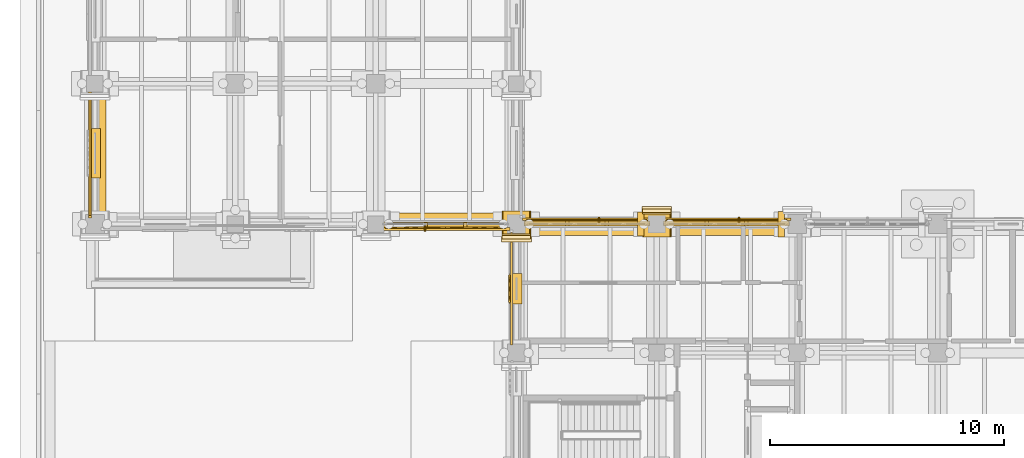
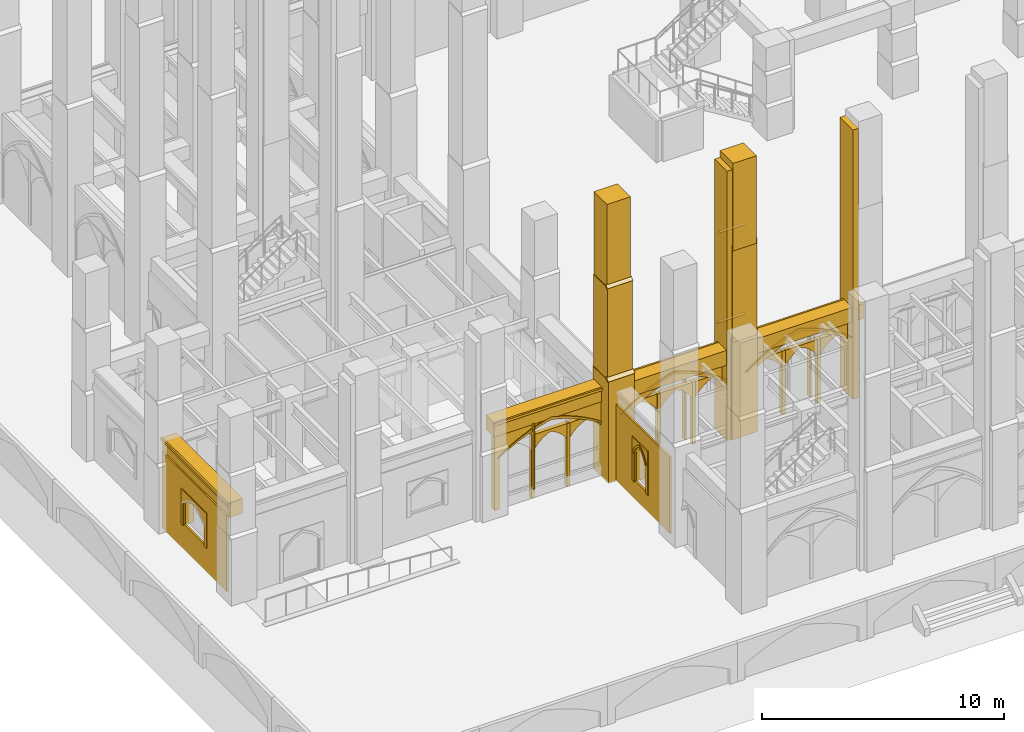
# One storey, part 76 of 135: 45 coverings, 3 shading devices.
"""IFC4 building model written with IfcOpenShell, lengths in metres."""

from ifc_helpers import new_model, si_unit, direction, frame, origin, origin_2d, place, context, subcontext, project, spatial, polyline, rectangle, outline, extrude, material, type_object, element, save


model = new_model("IFC4")

# Units and contexts
model_context = context("Model", 3, precision=1e-05, world=origin(), true_north=direction((0.0, 1.0)))
body_context = subcontext(model_context, "Body", "Model", "MODEL_VIEW")
ifc_project = project(units=[si_unit("LENGTHUNIT", "METRE"), si_unit("AREAUNIT", "SQUARE_METRE"), si_unit("VOLUMEUNIT", "CUBIC_METRE"), si_unit("PLANEANGLEUNIT", "RADIAN"), si_unit("MASSUNIT", "GRAM", prefix="KILO")], contexts=[model_context])

# Site, building, storey
site_placement = place(None, origin())
site = spatial("IfcSite", under=ifc_project, at=site_placement, CompositionType="ELEMENT")
building_placement = place(site_placement, origin())
building = spatial("IfcBuilding", under=site, at=building_placement, Name="Cumevento Cable Car Station", CompositionType="ELEMENT")
storey_placement = place(building_placement, origin())
storey = spatial("IfcBuildingStorey", under=building, at=storey_placement, Name="L01", CompositionType="ELEMENT", Elevation=0.0)

# Shading devices
ifc_material_1 = material(Name="Anodised Bronze Aluminium AW-6063-T6", Category="aluminium")
shading_device_type = type_object("IfcShadingDeviceType", Name="Bronze Lancet Brise-Soleil BS-01", PredefinedType="JALOUSIE", material=ifc_material_1)
shading_device_1_placement = place(storey_placement, frame((25.534912109375, 15.179931640625, 0.2099609375), z_axis=(0.0, 0.0, 1.0), x_axis=(1.0, 0.0, 0.0)))
element("IfcShadingDevice", 1, at=shading_device_1_placement, inside=storey, type_object=shading_device_type, Name="Bronze Lancet Solar Fin #1", PredefinedType="JALOUSIE", context=body_context, shape_type="SweptSolid", body=[
    extrude(rectangle(XDim=0.054931640625, YDim=0.239990234375, at=origin_2d()), origin(), (0.0, 0.0, 1.0), 3.59912109375),
])
shading_device_2_placement = place(storey_placement, frame((31.510009765625, 15.179931640625, 0.260009765625), z_axis=(0.0, 0.0, 1.0), x_axis=(1.0, 0.0, 0.0)))
element("IfcShadingDevice", 2, at=shading_device_2_placement, inside=storey, type_object=shading_device_type, Name="Bronze Lancet Solar Fin #2", PredefinedType="JALOUSIE", context=body_context, shape_type="SweptSolid", body=[
    extrude(rectangle(XDim=0.054931640625, YDim=0.239990234375, at=origin_2d()), origin(), (0.0, 0.0, 1.0), 3.62109375),
])
shading_device_3_placement = place(storey_placement, frame((18.10009765625, 14.820068359375, 0.52001953125), z_axis=(0.0, 0.0, 1.0), x_axis=(-1.0, 0.0, 0.0)))
element("IfcShadingDevice", 3, at=shading_device_3_placement, inside=storey, type_object=shading_device_type, Name="Bronze Lancet Solar Fin #10", PredefinedType="JALOUSIE", context=body_context, shape_type="SweptSolid", body=[
    extrude(rectangle(XDim=0.054931640625, YDim=0.239990234375, at=origin_2d()), origin(), (0.0, 0.0, 1.0), 3.2890625),
])

# Coverings
ifc_material_2 = material(Name="Gnaisse Facoidal Stone Ashlar 85 MPa", Category="masonry")
covering_type = type_object("IfcCoveringType", Name="Gnaisse Ashlar Cladding CV-CL01", PredefinedType="CLADDING", material=ifc_material_2)
covering_1_placement = place(storey_placement, frame((22.0, 14.909912109375, -0.06005859375), z_axis=(0.0, 0.0, 1.0), x_axis=(1.0, 0.0, 0.0)))
element("IfcCovering", 4, at=covering_1_placement, inside=storey, type_object=covering_type, Name="Stepped Gothic Stone Buttress Tier 1 bt:22.0:15.0", PredefinedType="CLADDING", context=body_context, shape_type="SweptSolid", body=[
    extrude(rectangle(XDim=1.239990234375, YDim=1.300048828125, at=origin_2d()), origin(), (0.0, 0.0, 1.0), 5.175537109375),
])
covering_2_placement = place(storey_placement, frame((21.360107421875, 14.239990234375, 5.095703125), z_axis=(0.0, -0.711135781079, 0.703054692658), x_axis=(1.0, 0.0, 0.0)))
element("IfcCovering", 5, at=covering_2_placement, inside=storey, type_object=covering_type, Name="Gothic Buttress Sloped Stone Weathering 1 bt:22.0:15.0", PredefinedType="CLADDING", context=body_context, shape_type="SweptSolid", body=[
    extrude(outline(polyline([(0.0, 0.0), (1.27978515625, 0.0), (1.27978515625, 0.24169083397703695), (0.0, 0.24169083397703695), (0.0, 0.0)])), origin(), (0.0, 0.0, -1.0), 0.090087890625),
])
covering_3_placement = place(storey_placement, frame((22.0, 14.969970703125, 4.84326171875), z_axis=(0.0, 0.0, 1.0), x_axis=(1.0, 0.0, 0.0)))
element("IfcCovering", 6, at=covering_3_placement, inside=storey, type_object=covering_type, Name="Stepped Gothic Stone Buttress Tier 2 bt:22.0:15.0", PredefinedType="CLADDING", context=body_context, shape_type="SweptSolid", body=[
    extrude(rectangle(XDim=1.179931640625, YDim=1.179931640625, at=origin_2d()), origin(), (0.0, 0.0, 1.0), 4.9033203125),
])
covering_4_placement = place(storey_placement, frame((21.389892578125, 14.360107421875, 9.726318359375), z_axis=(0.0, -0.714474823669, 0.699661151089), x_axis=(1.0, 0.0, 0.0)))
element("IfcCovering", 7, at=covering_4_placement, inside=storey, type_object=covering_type, Name="Gothic Buttress Sloped Stone Weathering 2 bt:22.0:15.0", PredefinedType="CLADDING", context=body_context, shape_type="SweptSolid", body=[
    extrude(outline(polyline([(0.0, 0.0), (1.22021484375, 0.0), (1.22021484375, 0.21424991728737655), (0.0, 0.21424991728737655), (0.0, 0.0)])), origin(), (0.0, 0.0, -1.0), 0.090087890625),
])
covering_5_placement = place(storey_placement, frame((22.0, 15.02001953125, 9.47412109375), z_axis=(0.0, 0.0, 1.0), x_axis=(1.0, 0.0, 0.0)))
element("IfcCovering", 8, at=covering_5_placement, inside=storey, type_object=covering_type, Name="Stepped Gothic Stone Buttress Tier 3 bt:22.0:15.0", PredefinedType="CLADDING", context=body_context, shape_type="SweptSolid", body=[
    extrude(rectangle(XDim=1.1201171875, YDim=1.080078125, at=origin_2d()), origin(), (0.0, 0.0, 1.0), 4.426025390625),
])
covering_6_placement = place(storey_placement, frame((28.0, 15.090087890625, -0.06005859375), z_axis=(0.0, 0.0, 1.0), x_axis=(-1.0, 0.0, 0.0)))
element("IfcCovering", 9, at=covering_6_placement, inside=storey, type_object=covering_type, Name="Stepped Gothic Stone Buttress Tier 1 bt:28.0:15.0", PredefinedType="CLADDING", context=body_context, shape_type="SweptSolid", body=[
    extrude(rectangle(XDim=1.239990234375, YDim=1.300048828125, at=origin_2d()), origin(), (0.0, 0.0, 1.0), 5.175537109375),
])
covering_7_placement = place(storey_placement, frame((28.639892578125, 15.760009765625, 5.095703125), z_axis=(0.0, 0.711135781079, 0.703054692658), x_axis=(-1.0, 0.0, 0.0)))
element("IfcCovering", 10, at=covering_7_placement, inside=storey, type_object=covering_type, Name="Gothic Buttress Sloped Stone Weathering 1 bt:28.0:15.0", PredefinedType="CLADDING", context=body_context, shape_type="SweptSolid", body=[
    extrude(outline(polyline([(0.0, 0.0), (1.27978515625, 0.0), (1.27978515625, 0.24169083397703695), (0.0, 0.24169083397703695), (0.0, 0.0)])), origin(), (0.0, 0.0, -1.0), 0.090087890625),
])
covering_8_placement = place(storey_placement, frame((28.0, 15.030029296875, 4.84326171875), z_axis=(0.0, 0.0, 1.0), x_axis=(-1.0, 0.0, 0.0)))
element("IfcCovering", 11, at=covering_8_placement, inside=storey, type_object=covering_type, Name="Stepped Gothic Stone Buttress Tier 2 bt:28.0:15.0", PredefinedType="CLADDING", context=body_context, shape_type="SweptSolid", body=[
    extrude(rectangle(XDim=1.179931640625, YDim=1.179931640625, at=origin_2d()), origin(), (0.0, 0.0, 1.0), 4.9033203125),
])
covering_9_placement = place(storey_placement, frame((28.610107421875, 15.639892578125, 9.726318359375), z_axis=(0.0, 0.714474823669, 0.699661151089), x_axis=(-1.0, 0.0, 0.0)))
element("IfcCovering", 12, at=covering_9_placement, inside=storey, type_object=covering_type, Name="Gothic Buttress Sloped Stone Weathering 2 bt:28.0:15.0", PredefinedType="CLADDING", context=body_context, shape_type="SweptSolid", body=[
    extrude(outline(polyline([(0.0, 0.0), (1.22021484375, 0.0), (1.22021484375, 0.21424991728737655), (0.0, 0.21424991728737655), (0.0, 0.0)])), origin(), (0.0, 0.0, -1.0), 0.090087890625),
])
covering_10_placement = place(storey_placement, frame((28.0, 14.97998046875, 9.47412109375), z_axis=(0.0, 0.0, 1.0), x_axis=(-1.0, 0.0, 0.0)))
element("IfcCovering", 13, at=covering_10_placement, inside=storey, type_object=covering_type, Name="Stepped Gothic Stone Buttress Tier 3 bt:28.0:15.0", PredefinedType="CLADDING", context=body_context, shape_type="SweptSolid", body=[
    extrude(rectangle(XDim=1.1201171875, YDim=1.080078125, at=origin_2d()), origin(), (0.0, 0.0, 1.0), 4.426025390625),
])
covering_11_placement = place(storey_placement, frame((27.320068359375, 15.0, -0.06005859375), z_axis=(0.0, 0.0, 1.0), x_axis=(1.0, 0.0, 0.0)))
element("IfcCovering", 14, at=covering_11_placement, inside=storey, type_object=covering_type, Name="Corner Buttress Stone Return (28.0,15.0)", PredefinedType="CLADDING", context=body_context, shape_type="SweptSolid", body=[
    extrude(rectangle(XDim=0.280029296875, YDim=1.030029296875, at=origin_2d()), origin(), (0.0, 0.0, 1.0), 13.6201171875),
])
covering_12_placement = place(storey_placement, frame((33.320068359375, 15.0, -0.06005859375), z_axis=(0.0, 0.0, 1.0), x_axis=(1.0, 0.0, 0.0)))
element("IfcCovering", 15, at=covering_12_placement, inside=storey, type_object=covering_type, Name="Corner Buttress Stone Return (34.0,15.0)", PredefinedType="CLADDING", context=body_context, shape_type="SweptSolid", body=[
    extrude(rectangle(XDim=0.280029296875, YDim=1.080078125, at=origin_2d()), origin(), (0.0, 0.0, 1.0), 13.6201171875),
])
covering_13_placement = place(storey_placement, frame((25.012451171875, 14.85009765625, 3.7490234375), z_axis=(0.0, 0.0, 1.0), x_axis=(1.0, 0.0, 0.0)))
element("IfcCovering", 16, at=covering_13_placement, inside=storey, type_object=covering_type, Name="Gothic Stone Spandrel Stringcourse sc:0005", PredefinedType="CLADDING", context=body_context, shape_type="SweptSolid", body=[
    extrude(rectangle(XDim=5.465087890625, YDim=0.659912109375, at=origin_2d()), origin(), (0.0, 0.0, 1.0), 0.7470703125),
])
covering_14_placement = place(storey_placement, frame((25.012451171875, 15.20751953125, 4.365966796875), z_axis=(0.0, 0.0, 1.0), x_axis=(1.0, 0.0, 0.0)))
element("IfcCovering", 17, at=covering_14_placement, inside=storey, type_object=covering_type, Name="Gothic Cornice Dripstone Lip sc:0005", PredefinedType="CLADDING", context=body_context, shape_type="SweptSolid", body=[
    extrude(rectangle(XDim=5.5048828125, YDim=0.114990234375, at=origin_2d()), origin(), (0.0, 0.0, 1.0), 0.1298828125),
])
covering_15_placement = place(storey_placement, frame((30.987548828125, 14.85009765625, 3.821044921875), z_axis=(0.0, 0.0, 1.0), x_axis=(1.0, 0.0, 0.0)))
element("IfcCovering", 18, at=covering_15_placement, inside=storey, type_object=covering_type, Name="Gothic Stone Spandrel Stringcourse sc:0006", PredefinedType="CLADDING", context=body_context, shape_type="SweptSolid", body=[
    extrude(rectangle(XDim=5.465087890625, YDim=0.659912109375, at=origin_2d()), origin(), (0.0, 0.0, 1.0), 0.7470703125),
])
covering_16_placement = place(storey_placement, frame((30.987548828125, 15.20751953125, 4.43798828125), z_axis=(0.0, 0.0, 1.0), x_axis=(1.0, 0.0, 0.0)))
element("IfcCovering", 19, at=covering_16_placement, inside=storey, type_object=covering_type, Name="Gothic Cornice Dripstone Lip sc:0006", PredefinedType="CLADDING", context=body_context, shape_type="SweptSolid", body=[
    extrude(rectangle(XDim=5.5048828125, YDim=0.114990234375, at=origin_2d()), origin(), (0.0, 0.0, 1.0), 0.1298828125),
])
covering_17_placement = place(storey_placement, frame((18.97509765625, 15.14990234375, 3.7490234375), z_axis=(0.0, 0.0, 1.0), x_axis=(-1.0, 0.0, 0.0)))
element("IfcCovering", 20, at=covering_17_placement, inside=storey, type_object=covering_type, Name="Gothic Stone Spandrel Stringcourse sc:0056", PredefinedType="CLADDING", context=body_context, shape_type="SweptSolid", body=[
    extrude(rectangle(XDim=5.489990234375, YDim=0.659912109375, at=origin_2d()), origin(), (0.0, 0.0, 1.0), 0.7470703125),
])
covering_18_placement = place(storey_placement, frame((18.97509765625, 14.79248046875, 4.365966796875), z_axis=(0.0, 0.0, 1.0), x_axis=(-1.0, 0.0, 0.0)))
element("IfcCovering", 21, at=covering_18_placement, inside=storey, type_object=covering_type, Name="Gothic Cornice Dripstone Lip sc:0056", PredefinedType="CLADDING", context=body_context, shape_type="SweptSolid", body=[
    extrude(rectangle(XDim=5.530029296875, YDim=0.114990234375, at=origin_2d()), origin(), (0.0, 0.0, 1.0), 0.1298828125),
])
covering_19_placement = place(storey_placement, frame((4.14990234375, 18.02490234375, 3.7490234375), z_axis=(0.0, 0.0, 1.0), x_axis=(0.0, 1.0, 0.0)))
element("IfcCovering", 22, at=covering_19_placement, inside=storey, type_object=covering_type, Name="Gothic Stone Spandrel Stringcourse sc:0058", PredefinedType="CLADDING", context=body_context, shape_type="SweptSolid", body=[
    extrude(rectangle(XDim=5.489990234375, YDim=0.659912109375, at=origin_2d()), origin(), (0.0, 0.0, 1.0), 0.7470703125),
])
covering_20_placement = place(storey_placement, frame((3.79248046875, 18.02490234375, 4.365966796875), z_axis=(0.0, 0.0, 1.0), x_axis=(0.0, 1.0, 0.0)))
element("IfcCovering", 23, at=covering_20_placement, inside=storey, type_object=covering_type, Name="Gothic Cornice Dripstone Lip sc:0058", PredefinedType="CLADDING", context=body_context, shape_type="SweptSolid", body=[
    extrude(rectangle(XDim=5.530029296875, YDim=0.114990234375, at=origin_2d()), origin(), (0.0, 0.0, 1.0), 0.1298828125),
])
placement_1 = place(storey_placement, frame((22.39990234375, 15.0, 0.0), z_axis=(0.0, 0.0, 1.0), x_axis=(1.0, 0.0, 0.0)))
element("IfcCovering", 24, at=placement_1, inside=storey, type_object=covering_type, Name="Gothic Ogival Pointed-Arch Stone Spandrel cw_ogival:0001", PredefinedType="CLADDING", context=body_context, shape_type="SweptSolid", body=[
    extrude(outline(polyline([(-0.080078125, 0.0), (-0.080078125, 3.888916015625), (5.304931640625, 3.888916015625), (5.304931640625, 0.0), (5.06494140625, 0.0), (5.06494140625, 2.513427734375), (4.787841796875, 2.71435546875), (4.500732421875, 2.900634765625), (4.204345703125, 3.07177734375), (3.8994140625, 3.227783203125), (3.587158203125, 3.36767578125), (3.267822265625, 3.491455078125), (2.94287109375, 3.5986328125), (2.612548828125, 3.68896484375), (2.2822265625, 3.5986328125), (1.957275390625, 3.491455078125), (1.637939453125, 3.36767578125), (1.32568359375, 3.227783203125), (1.020751953125, 3.07177734375), (0.724365234375, 2.900634765625), (0.437255859375, 2.71435546875), (0.159912109375, 2.513427734375), (0.159912109375, 0.0), (-0.080078125, 0.0)])), frame((0.0, 0.139892578125, 0.0), z_axis=(0.0, -1.0, 0.0), x_axis=(1.0, 0.0, 0.0)), (0.0, 0.0, 1.0), 0.219970703125),
])
covering_22_placement = place(storey_placement, frame((22.39990234375, 15.0, 2.513427734375), z_axis=(0.0, 0.0, 1.0), x_axis=(1.0, 0.0, 0.0)))
element("IfcCovering", 25, at=covering_22_placement, inside=storey, type_object=covering_type, Name="Gothic Pointed Archivolt Hood Moulding cw_ogival:0001", PredefinedType="CLADDING", context=body_context, shape_type="SweptSolid", body=[
    extrude(outline(polyline([(0.159912109375, 0.0), (0.437255859375, 0.200927734375), (0.724365234375, 0.38720703125), (1.020751953125, 0.558349609375), (1.32568359375, 0.71435546875), (1.637939453125, 0.854248046875), (1.957275390625, 0.97802734375), (2.2822265625, 1.085205078125), (2.612548828125, 1.175537109375), (2.94287109375, 1.085205078125), (3.267822265625, 0.97802734375), (3.587158203125, 0.854248046875), (3.8994140625, 0.71435546875), (4.204345703125, 0.558349609375), (4.500732421875, 0.38720703125), (4.787841796875, 0.200927734375), (5.06494140625, 0.0), (5.175048828125, 0.0), (4.889404296875, 0.2236328125), (4.592041015625, 0.431396484375), (4.283935546875, 0.62255859375), (3.965576171875, 0.796630859375), (3.638427734375, 0.953125), (3.30322265625, 1.091796875), (2.9609375, 1.2119140625), (2.612548828125, 1.31298828125), (2.26416015625, 1.2119140625), (1.921875, 1.091796875), (1.586669921875, 0.953125), (1.259521484375, 0.796630859375), (0.941162109375, 0.62255859375), (0.633056640625, 0.431396484375), (0.335693359375, 0.2236328125), (0.050048828125, 0.0), (0.159912109375, 0.0)])), frame((0.0, 0.181884765625, 0.0), z_axis=(0.0, -1.0, 0.0), x_axis=(1.0, 0.0, 0.0)), (0.0, 0.0, 1.0), 0.06689453125),
])
element("IfcCovering", 26, at=placement_1, inside=storey, type_object=covering_type, Name="Gothic Bifora Stone Colonnette cw_ogival:0001 #1", PredefinedType="CLADDING", context=body_context, shape_type="SweptSolid", body=[
    extrude(outline(polyline([(1.695068359375, -0.02001953125), (1.844970703125, -0.02001953125), (1.844970703125, 3.124755859375), (1.695068359375, 3.124755859375), (1.695068359375, -0.02001953125)])), frame((0.0, 0.1279296875, 0.0), z_axis=(0.0, -1.0, 0.0), x_axis=(1.0, 0.0, 0.0)), (0.0, 0.0, 1.0), 0.205078125),
])
element("IfcCovering", 27, at=placement_1, inside=storey, type_object=covering_type, Name="Gothic Bifora Stone Colonnette cw_ogival:0001 #2", PredefinedType="CLADDING", context=body_context, shape_type="SweptSolid", body=[
    extrude(outline(polyline([(3.3798828125, -0.02001953125), (3.530029296875, -0.02001953125), (3.530029296875, 3.124755859375), (3.3798828125, 3.124755859375), (3.3798828125, -0.02001953125)])), frame((0.0, 0.1279296875, 0.0), z_axis=(0.0, -1.0, 0.0), x_axis=(1.0, 0.0, 0.0)), (0.0, 0.0, 1.0), 0.205078125),
])
for number, where, z_axis, x_axis, name in (
    (28, (22.530029296875, 15.0, 2.33349609375), (0.0, 0.0, 1.0), (1.0, 0.0, 0.0), "Gothic Ogival Pointed-Arch Stone Spandrel cw_ogival:0001:sub:0"),
    (29, (24.215087890625, 15.0, 2.33349609375), (0.0, 0.0, 1.0), (1.0, 0.0, 0.0), "Gothic Ogival Pointed-Arch Stone Spandrel cw_ogival:0001:sub:1"),
    (30, (25.89990234375, 15.0, 2.33349609375), (0.0, 0.0, 1.0), (1.0, 0.0, 0.0), "Gothic Ogival Pointed-Arch Stone Spandrel cw_ogival:0001:sub:2"),
):
    element("IfcCovering", number, at=place(storey_placement, frame(where, z_axis=z_axis, x_axis=x_axis)), inside=storey, type_object=covering_type, Name=name, PredefinedType="CLADDING", context=body_context, shape_type="SweptSolid", body=[
        extrude(outline(polyline([(-0.02001953125, 0.0), (-0.02001953125, 0.791259765625), (1.614990234375, 0.791259765625), (1.614990234375, 0.0), (1.554931640625, 0.0), (1.462646484375, 0.144775390625), (1.354736328125, 0.278564453125), (1.232666015625, 0.3994140625), (1.09814453125, 0.506103515625), (0.952392578125, 0.596923828125), (0.797607421875, 0.67138671875), (0.642578125, 0.596923828125), (0.496826171875, 0.506103515625), (0.3623046875, 0.3994140625), (0.240234375, 0.278564453125), (0.13232421875, 0.144775390625), (0.0400390625, 0.0), (-0.02001953125, 0.0)])), frame((0.0, 0.1240234375, 0.0), z_axis=(0.0, -1.0, 0.0), x_axis=(1.0, 0.0, 0.0)), (0.0, 0.0, 1.0), 0.199951171875),
    ])
placement_2 = place(storey_placement, frame((28.375, 15.0, 0.0), z_axis=(0.0, 0.0, 1.0), x_axis=(1.0, 0.0, 0.0)))
element("IfcCovering", 31, at=placement_2, inside=storey, type_object=covering_type, Name="Gothic Ogival Pointed-Arch Stone Spandrel cw_ogival:0002", PredefinedType="CLADDING", context=body_context, shape_type="SweptSolid", body=[
    extrude(outline(polyline([(-0.080078125, 0.0), (-0.080078125, 3.9609375), (5.304931640625, 3.9609375), (5.304931640625, 0.0), (5.06494140625, 0.0), (5.06494140625, 2.577392578125), (4.788330078125, 2.779541015625), (4.501220703125, 2.967041015625), (4.205078125, 3.1396484375), (3.900390625, 3.29638671875), (3.587890625, 3.4375), (3.2685546875, 3.56201171875), (2.943115234375, 3.669921875), (2.612548828125, 3.760986328125), (2.281982421875, 3.669921875), (1.95654296875, 3.56201171875), (1.63720703125, 3.4375), (1.32470703125, 3.29638671875), (1.02001953125, 3.1396484375), (0.723876953125, 2.967041015625), (0.436767578125, 2.779541015625), (0.159912109375, 2.577392578125), (0.159912109375, 0.0), (-0.080078125, 0.0)])), frame((0.0, 0.139892578125, 0.0), z_axis=(0.0, -1.0, 0.0), x_axis=(1.0, 0.0, 0.0)), (0.0, 0.0, 1.0), 0.219970703125),
])
covering_26_placement = place(storey_placement, frame((28.375, 15.0, 2.577392578125), z_axis=(0.0, 0.0, 1.0), x_axis=(1.0, 0.0, 0.0)))
element("IfcCovering", 32, at=covering_26_placement, inside=storey, type_object=covering_type, Name="Gothic Pointed Archivolt Hood Moulding cw_ogival:0002", PredefinedType="CLADDING", context=body_context, shape_type="SweptSolid", body=[
    extrude(outline(polyline([(0.159912109375, 0.0), (0.436767578125, 0.2021484375), (0.723876953125, 0.3896484375), (1.02001953125, 0.562255859375), (1.32470703125, 0.718994140625), (1.63720703125, 0.860107421875), (1.95654296875, 0.984619140625), (2.281982421875, 1.092529296875), (2.612548828125, 1.18359375), (2.943115234375, 1.092529296875), (3.2685546875, 0.984619140625), (3.587890625, 0.860107421875), (3.900390625, 0.718994140625), (4.205078125, 0.562255859375), (4.501220703125, 0.3896484375), (4.788330078125, 0.2021484375), (5.06494140625, 0.0), (5.175048828125, 0.0), (4.889892578125, 0.224853515625), (4.5927734375, 0.433837890625), (4.28466796875, 0.626220703125), (3.966552734375, 0.80126953125), (3.63916015625, 0.958984375), (3.3037109375, 1.098388671875), (2.961181640625, 1.21923828125), (2.612548828125, 1.321044921875), (2.263916015625, 1.21923828125), (1.92138671875, 1.098388671875), (1.5859375, 0.958984375), (1.258544921875, 0.80126953125), (0.9404296875, 0.626220703125), (0.63232421875, 0.433837890625), (0.335205078125, 0.224853515625), (0.050048828125, 0.0), (0.159912109375, 0.0)])), frame((0.0, 0.181884765625, 0.0), z_axis=(0.0, -1.0, 0.0), x_axis=(1.0, 0.0, 0.0)), (0.0, 0.0, 1.0), 0.06689453125),
])
element("IfcCovering", 33, at=placement_2, inside=storey, type_object=covering_type, Name="Gothic Bifora Stone Colonnette cw_ogival:0002 #1", PredefinedType="CLADDING", context=body_context, shape_type="SweptSolid", body=[
    extrude(outline(polyline([(1.695068359375, -0.02001953125), (1.844970703125, -0.02001953125), (1.844970703125, 3.19287109375), (1.695068359375, 3.19287109375), (1.695068359375, -0.02001953125)])), frame((0.0, 0.1279296875, 0.0), z_axis=(0.0, -1.0, 0.0), x_axis=(1.0, 0.0, 0.0)), (0.0, 0.0, 1.0), 0.205078125),
])
element("IfcCovering", 34, at=placement_2, inside=storey, type_object=covering_type, Name="Gothic Bifora Stone Colonnette cw_ogival:0002 #2", PredefinedType="CLADDING", context=body_context, shape_type="SweptSolid", body=[
    extrude(outline(polyline([(3.3798828125, -0.02001953125), (3.530029296875, -0.02001953125), (3.530029296875, 3.19287109375), (3.3798828125, 3.19287109375), (3.3798828125, -0.02001953125)])), frame((0.0, 0.1279296875, 0.0), z_axis=(0.0, -1.0, 0.0), x_axis=(1.0, 0.0, 0.0)), (0.0, 0.0, 1.0), 0.205078125),
])
for number, where, z_axis, x_axis, name in (
    (35, (28.5048828125, 15.0, 2.3974609375), (0.0, 0.0, 1.0), (1.0, 0.0, 0.0), "Gothic Ogival Pointed-Arch Stone Spandrel cw_ogival:0002:sub:0"),
    (36, (30.18994140625, 15.0, 2.3974609375), (0.0, 0.0, 1.0), (1.0, 0.0, 0.0), "Gothic Ogival Pointed-Arch Stone Spandrel cw_ogival:0002:sub:1"),
    (37, (31.875, 15.0, 2.3974609375), (0.0, 0.0, 1.0), (1.0, 0.0, 0.0), "Gothic Ogival Pointed-Arch Stone Spandrel cw_ogival:0002:sub:2"),
):
    element("IfcCovering", number, at=place(storey_placement, frame(where, z_axis=z_axis, x_axis=x_axis)), inside=storey, type_object=covering_type, Name=name, PredefinedType="CLADDING", context=body_context, shape_type="SweptSolid", body=[
        extrude(outline(polyline([(-0.02001953125, 0.0), (-0.02001953125, 0.79541015625), (1.614990234375, 0.79541015625), (1.614990234375, 0.0), (1.554931640625, 0.0), (1.462890625, 0.145751953125), (1.355224609375, 0.280029296875), (1.2333984375, 0.40185546875), (1.0986328125, 0.509033203125), (0.95263671875, 0.600830078125), (0.797607421875, 0.675537109375), (0.642333984375, 0.600830078125), (0.496337890625, 0.509033203125), (0.361572265625, 0.40185546875), (0.23974609375, 0.280029296875), (0.132080078125, 0.145751953125), (0.0400390625, 0.0), (-0.02001953125, 0.0)])), frame((0.0, 0.1240234375, 0.0), z_axis=(0.0, -1.0, 0.0), x_axis=(1.0, 0.0, 0.0)), (0.0, 0.0, 1.0), 0.199951171875),
    ])
placement_3 = place(storey_placement, frame((21.60009765625, 15.0, 0.0), z_axis=(0.0, 0.0, 1.0), x_axis=(-1.0, 0.0, 0.0)))
element("IfcCovering", 38, at=placement_3, inside=storey, type_object=covering_type, Name="Gothic Ogival Pointed-Arch Stone Spandrel cw_ogival:0015", PredefinedType="CLADDING", context=body_context, shape_type="SweptSolid", body=[
    extrude(outline(polyline([(-0.080078125, 0.0), (-0.080078125, 3.888916015625), (5.330078125, 3.888916015625), (5.330078125, 0.0), (5.090087890625, 0.0), (5.090087890625, 2.625), (4.80615234375, 2.8076171875), (4.513916015625, 2.9765625), (4.214111328125, 3.1318359375), (3.907470703125, 3.27294921875), (3.594482421875, 3.3994140625), (3.276123046875, 3.510986328125), (2.95263671875, 3.607666015625), (2.625, 3.68896484375), (2.29736328125, 3.607666015625), (1.973876953125, 3.510986328125), (1.655517578125, 3.3994140625), (1.342529296875, 3.27294921875), (1.035888671875, 3.1318359375), (0.736083984375, 2.9765625), (0.44384765625, 2.8076171875), (0.159912109375, 2.625), (0.159912109375, 0.0), (-0.080078125, 0.0)])), frame((0.0, 0.139892578125, 0.0), z_axis=(0.0, -1.0, 0.0), x_axis=(1.0, 0.0, 0.0)), (0.0, 0.0, 1.0), 0.219970703125),
])
covering_30_placement = place(storey_placement, frame((21.60009765625, 15.0, 2.625), z_axis=(0.0, 0.0, 1.0), x_axis=(-1.0, 0.0, 0.0)))
element("IfcCovering", 39, at=covering_30_placement, inside=storey, type_object=covering_type, Name="Gothic Pointed Archivolt Hood Moulding cw_ogival:0015", PredefinedType="CLADDING", context=body_context, shape_type="SweptSolid", body=[
    extrude(outline(polyline([(0.159912109375, 0.0), (0.44384765625, 0.1826171875), (0.736083984375, 0.3515625), (1.035888671875, 0.5068359375), (1.342529296875, 0.64794921875), (1.655517578125, 0.7744140625), (1.973876953125, 0.885986328125), (2.29736328125, 0.982666015625), (2.625, 1.06396484375), (2.95263671875, 0.982666015625), (3.276123046875, 0.885986328125), (3.594482421875, 0.7744140625), (3.907470703125, 0.64794921875), (4.214111328125, 0.5068359375), (4.513916015625, 0.3515625), (4.80615234375, 0.1826171875), (5.090087890625, 0.0), (5.199951171875, 0.0), (4.907470703125, 0.20556640625), (4.60498046875, 0.39599609375), (4.293212890625, 0.5712890625), (3.97314453125, 0.73046875), (3.645263671875, 0.87353515625), (3.310791015625, 0.999755859375), (2.970458984375, 1.109375), (2.625, 1.201416015625), (2.279541015625, 1.109375), (1.939208984375, 0.999755859375), (1.604736328125, 0.87353515625), (1.27685546875, 0.73046875), (0.956787109375, 0.5712890625), (0.64501953125, 0.39599609375), (0.342529296875, 0.20556640625), (0.050048828125, 0.0), (0.159912109375, 0.0)])), frame((0.0, 0.181884765625, 0.0), z_axis=(0.0, -1.0, 0.0), x_axis=(1.0, 0.0, 0.0)), (0.0, 0.0, 1.0), 0.06689453125),
])
element("IfcCovering", 40, at=placement_3, inside=storey, type_object=covering_type, Name="Gothic Bifora Stone Colonnette cw_ogival:0015 #1", PredefinedType="CLADDING", context=body_context, shape_type="SweptSolid", body=[
    extrude(outline(polyline([(1.703369140625, -0.02001953125), (1.853271484375, -0.02001953125), (1.853271484375, 3.17822265625), (1.703369140625, 3.17822265625), (1.703369140625, -0.02001953125)])), frame((0.0, 0.1279296875, 0.0), z_axis=(0.0, -1.0, 0.0), x_axis=(1.0, 0.0, 0.0)), (0.0, 0.0, 1.0), 0.205078125),
])
element("IfcCovering", 41, at=placement_3, inside=storey, type_object=covering_type, Name="Gothic Bifora Stone Colonnette cw_ogival:0015 #2", PredefinedType="CLADDING", context=body_context, shape_type="SweptSolid", body=[
    extrude(outline(polyline([(3.396728515625, -0.02001953125), (3.546630859375, -0.02001953125), (3.546630859375, 3.17822265625), (3.396728515625, 3.17822265625), (3.396728515625, -0.02001953125)])), frame((0.0, 0.1279296875, 0.0), z_axis=(0.0, -1.0, 0.0), x_axis=(1.0, 0.0, 0.0)), (0.0, 0.0, 1.0), 0.205078125),
])
for number, where, z_axis, x_axis, name in (
    (42, (21.469970703125, 15.0, 2.445068359375), (0.0, 0.0, 1.0), (-1.0, 0.0, 0.0), "Gothic Ogival Pointed-Arch Stone Spandrel cw_ogival:0015:sub:0"),
    (43, (19.776611328125, 15.0, 2.445068359375), (0.0, 0.0, 1.0), (-1.0, 0.0, 0.0), "Gothic Ogival Pointed-Arch Stone Spandrel cw_ogival:0015:sub:1"),
):
    element("IfcCovering", number, at=place(storey_placement, frame(where, z_axis=z_axis, x_axis=x_axis)), inside=storey, type_object=covering_type, Name=name, PredefinedType="CLADDING", context=body_context, shape_type="SweptSolid", body=[
        extrude(outline(polyline([(-0.02001953125, 0.0), (-0.02001953125, 0.7333984375), (1.623291015625, 0.7333984375), (1.623291015625, 0.0), (1.563232421875, 0.0), (1.46533203125, 0.133544921875), (1.35400390625, 0.256103515625), (1.230712890625, 0.366455078125), (1.096435546875, 0.463623046875), (0.952880859375, 0.546142578125), (0.8017578125, 0.61328125), (0.650390625, 0.546142578125), (0.5068359375, 0.463623046875), (0.37255859375, 0.366455078125), (0.249267578125, 0.256103515625), (0.137939453125, 0.133544921875), (0.0400390625, 0.0), (-0.02001953125, 0.0)])), frame((0.0, 0.1240234375, 0.0), z_axis=(0.0, -1.0, 0.0), x_axis=(1.0, 0.0, 0.0)), (0.0, 0.0, 1.0), 0.199951171875),
    ])
covering_33_placement = place(storey_placement, frame((22.0, 9.875, 0.0), z_axis=(0.0, 0.0, 1.0), x_axis=(0.0, 1.0, 0.0)))
element("IfcCovering", 44, at=covering_33_placement, inside=storey, type_object=covering_type, Name="Exterior Gnaisse Stone Wall Ashlar #115", PredefinedType="CLADDING", context=body_context, shape_type="SweptSolid", body=[
    extrude(outline(polyline([(-0.0400390625, -0.02001953125), (4.764892578125, -0.02001953125), (4.764892578125, 3.8291015625), (-0.0400390625, 3.8291015625), (-0.0400390625, -0.02001953125)]), holes=[polyline([(1.8974609375, 0.909912109375), (2.827392578125, 0.909912109375), (2.827392578125, 2.840087890625), (1.8974609375, 2.840087890625), (1.8974609375, 0.909912109375)])]), frame((0.0, 0.25244140625, 0.0), z_axis=(0.0, -1.0, 0.0), x_axis=(1.0, 0.0, 0.0)), (0.0, 0.0, 1.0), 0.0849609375),
])
covering_34_placement = place(storey_placement, frame((22.0, 11.62255859375, 0.85009765625), z_axis=(0.0, 0.0, 1.0), x_axis=(0.0, 1.0, 0.0)))
element("IfcCovering", 45, at=covering_34_placement, inside=storey, type_object=covering_type, Name="Gothic Ogival Pointed-Arch Stone Spandrel op_ogival:0115:1", PredefinedType="CLADDING", context=body_context, shape_type="SweptSolid", body=[
    extrude(outline(polyline([(-0.0400390625, 0.0), (-0.0400390625, 2.219970703125), (1.27001953125, 2.219970703125), (1.27001953125, 0.0), (1.090087890625, 0.0), (1.090087890625, 1.4541015625), (1.053955078125, 1.55859375), (1.006103515625, 1.65869140625), (0.947021484375, 1.752197265625), (0.877197265625, 1.83837890625), (0.7978515625, 1.915771484375), (0.7099609375, 1.983154296875), (0.614990234375, 2.039794921875), (0.52001953125, 1.983154296875), (0.43212890625, 1.915771484375), (0.352783203125, 1.83837890625), (0.282958984375, 1.752197265625), (0.223876953125, 1.65869140625), (0.176025390625, 1.55859375), (0.139892578125, 1.4541015625), (0.139892578125, 0.0), (-0.0400390625, 0.0)])), frame((0.0, 0.29052734375, 0.0), z_axis=(0.0, -1.0, 0.0), x_axis=(1.0, 0.0, 0.0)), (0.0, 0.0, 1.0), 0.534912109375),
])
covering_35_placement = place(storey_placement, frame((22.0, 11.62255859375, 2.303955078125), z_axis=(0.0, 0.0, 1.0), x_axis=(0.0, 1.0, 0.0)))
element("IfcCovering", 46, at=covering_35_placement, inside=storey, type_object=covering_type, Name="Gothic Pointed Archivolt Hood Moulding op_ogival:0115:1", PredefinedType="CLADDING", context=body_context, shape_type="SweptSolid", body=[
    extrude(outline(polyline([(0.139892578125, 0.0), (0.176025390625, 0.104736328125), (0.223876953125, 0.20458984375), (0.282958984375, 0.29833984375), (0.352783203125, 0.38427734375), (0.43212890625, 0.461669921875), (0.52001953125, 0.529052734375), (0.614990234375, 0.5859375), (0.7099609375, 0.529052734375), (0.7978515625, 0.461669921875), (0.877197265625, 0.38427734375), (0.947021484375, 0.29833984375), (1.006103515625, 0.20458984375), (1.053955078125, 0.104736328125), (1.090087890625, 0.0), (1.18896484375, 0.0), (1.145751953125, 0.126953125), (1.087890625, 0.247802734375), (1.016357421875, 0.361083984375), (0.93212890625, 0.46533203125), (0.836181640625, 0.55908203125), (0.72998046875, 0.640869140625), (0.614990234375, 0.709716796875), (0.5, 0.640869140625), (0.393798828125, 0.55908203125), (0.2978515625, 0.46533203125), (0.213623046875, 0.361083984375), (0.14208984375, 0.247802734375), (0.084228515625, 0.126953125), (0.041015625, 0.0), (0.139892578125, 0.0)])), frame((0.0, 0.33251953125, 0.0), z_axis=(0.0, -1.0, 0.0), x_axis=(1.0, 0.0, 0.0)), (0.0, 0.0, 1.0), 0.06689453125),
])
covering_36_placement = place(storey_placement, frame((4.0, 15.39990234375, 0.0), z_axis=(0.0, 0.0, 1.0), x_axis=(0.0, 1.0, 0.0)))
element("IfcCovering", 47, at=covering_36_placement, inside=storey, type_object=covering_type, Name="Exterior Gnaisse Stone Wall Ashlar #142", PredefinedType="CLADDING", context=body_context, shape_type="SweptSolid", body=[
    extrude(outline(polyline([(-0.0400390625, -0.02001953125), (5.2900390625, -0.02001953125), (5.2900390625, 3.8291015625), (-0.0400390625, 3.8291015625), (-0.0400390625, -0.02001953125)]), holes=[polyline([(1.760009765625, 1.260009765625), (3.489990234375, 1.260009765625), (3.489990234375, 2.739990234375), (1.760009765625, 2.739990234375), (1.760009765625, 1.260009765625)])]), frame((0.0, 0.2451171875, 0.0), z_axis=(0.0, -1.0, 0.0), x_axis=(1.0, 0.0, 0.0)), (0.0, 0.0, 1.0), 0.0849609375),
])
covering_37_placement = place(storey_placement, frame((4.0, 17.010009765625, 1.199951171875), z_axis=(0.0, 0.0, 1.0), x_axis=(0.0, 1.0, 0.0)))
element("IfcCovering", 48, at=covering_37_placement, inside=storey, type_object=covering_type, Name="Gothic Ogival Pointed-Arch Stone Spandrel op_ogival:0142:1", PredefinedType="CLADDING", context=body_context, shape_type="SweptSolid", body=[
    extrude(outline(polyline([(-0.0400390625, 0.0), (-0.0400390625, 1.77001953125), (2.070068359375, 1.77001953125), (2.070068359375, 0.0), (1.889892578125, 0.0), (1.889892578125, 1.1298828125), (1.77880859375, 1.218994140625), (1.662353515625, 1.30078125), (1.540771484375, 1.375), (1.414794921875, 1.44091796875), (1.28466796875, 1.4990234375), (1.1513671875, 1.548828125), (1.014892578125, 1.590087890625), (0.878662109375, 1.548828125), (0.745361328125, 1.4990234375), (0.615234375, 1.44091796875), (0.4892578125, 1.375), (0.36767578125, 1.30078125), (0.251220703125, 1.218994140625), (0.139892578125, 1.1298828125), (0.139892578125, 0.0), (-0.0400390625, 0.0)])), frame((0.0, 0.282958984375, 0.0), z_axis=(0.0, -1.0, 0.0), x_axis=(1.0, 0.0, 0.0)), (0.0, 0.0, 1.0), 0.52001953125),
])

save(model, "model.ifc")
